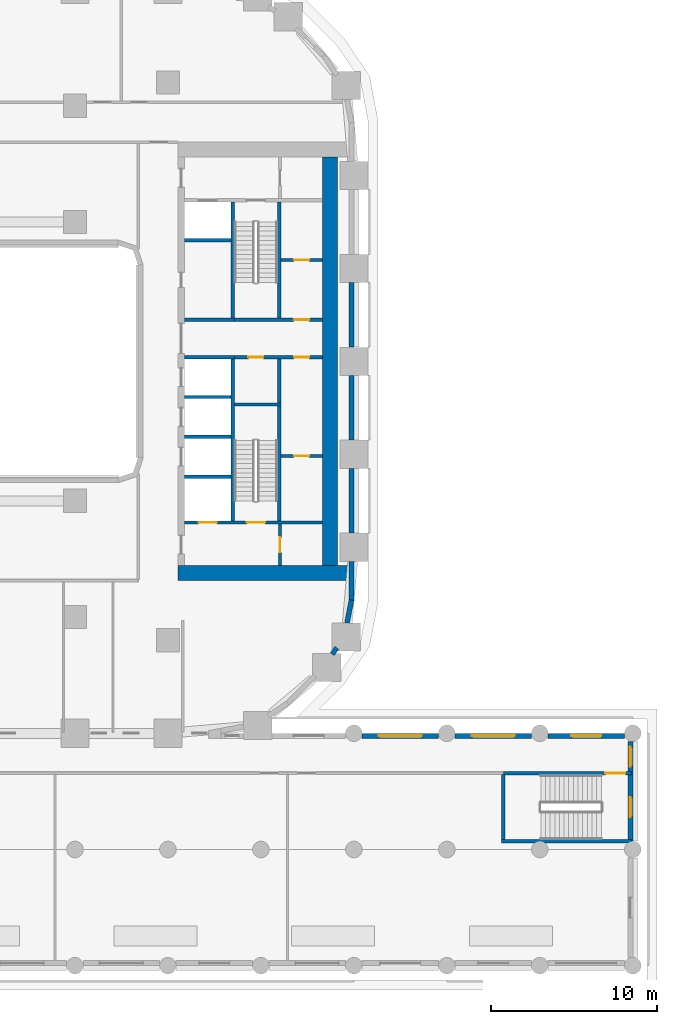
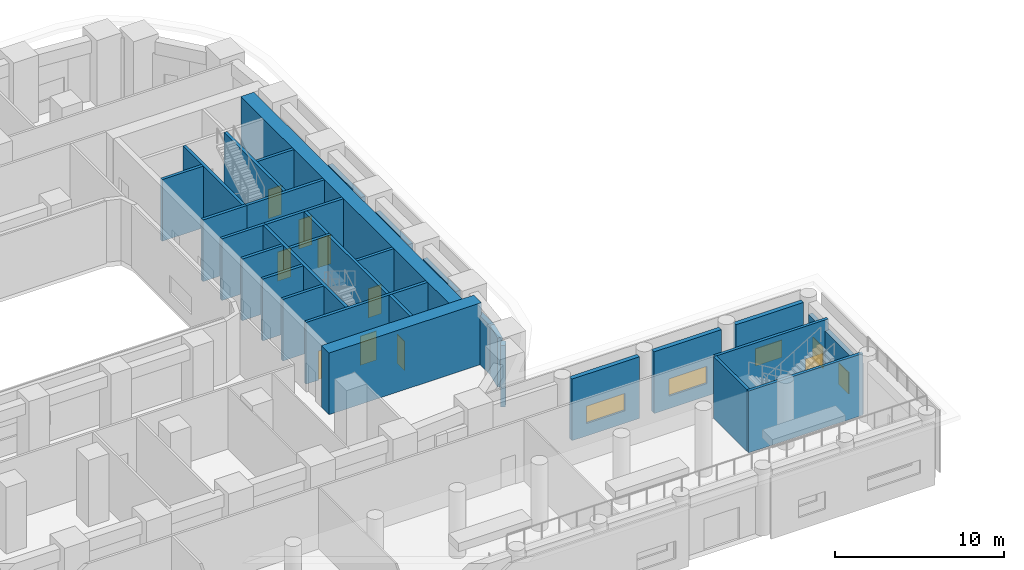
# One storey, part 25 of 35: 33 walls, 9 doors, 5 windows, 14 openings.
"""IFC4 building model written with IfcOpenShell, lengths in metres."""

from ifc_helpers import new_model, si_unit, direction, frame, frame_2d, origin, place, context, subcontext, project, spatial, rectangle, extrude, material, layer, layer_set, type_object, element, fill, save


model = new_model("IFC4")

# Units and contexts
model_context = context("Model", 3, precision=1e-05, world=origin(), true_north=direction((0.0, 1.0)))
body_context = subcontext(model_context, "Body", "Model", "MODEL_VIEW")
ifc_project = project(units=[si_unit("LENGTHUNIT", "METRE"), si_unit("AREAUNIT", "SQUARE_METRE"), si_unit("VOLUMEUNIT", "CUBIC_METRE"), si_unit("PLANEANGLEUNIT", "RADIAN"), si_unit("MASSUNIT", "GRAM", prefix="KILO")], contexts=[model_context])

# Site, building, storey
site_placement = place(None, origin())
site = spatial("IfcSite", under=ifc_project, at=site_placement, CompositionType="ELEMENT")
building_placement = place(site_placement, origin())
building = spatial("IfcBuilding", under=site, at=building_placement, Name="Kiln Ring Residences", CompositionType="ELEMENT")
storey_placement = place(building_placement, frame((0.0, 0.0, 20.89990234375)))
storey = spatial("IfcBuildingStorey", under=building, at=storey_placement, Name="L04", CompositionType="ELEMENT", Elevation=20.89990234375)

# Wall
ifc_material_1 = material(Name="Gypsum board on steel studs", Category="steel")
ifc_layer_1 = layer(ifc_material_1, 0.199951171875)
ifc_layer_set_1 = layer_set([ifc_layer_1], Name="CORE-PARTITION-200")
wall_type_1 = type_object("IfcWallType", Name="CORE-PARTITION-200", PredefinedType="PARTITIONING", material=ifc_layer_set_1)
wall_1_placement = place(storey_placement, frame((23.5, -2.5, 0.0), z_axis=(0.0, 0.0, 1.0), x_axis=(0.0, 1.0, 0.0)))
element("IfcWall", 1, at=wall_1_placement, inside=storey, type_object=wall_type_1, Name="Core partition east L04 1", PredefinedType="PARTITIONING", context=body_context, shape_type="SweptSolid", body=[
    extrude(rectangle(XDim=2.64990234375, YDim=0.199951171875, at=frame_2d((1.324951171875, 0.0))), origin(), (0.0, 0.0, 1.0), 4.4501953125),
])

# Wall, openings, doors
wall_2_placement = place(storey_placement, frame((20.800048828125, 0.25, 0.0), z_axis=(0.0, 0.0, 1.0), x_axis=(1.0, 0.0, 0.0)))
wall_2 = element("IfcWall", 2, at=wall_2_placement, inside=storey, type_object=wall_type_1, Name="Core partition east L04 2", PredefinedType="PARTITIONING", context=body_context, shape_type="SweptSolid", body=[
    extrude(rectangle(XDim=5.300048828125, YDim=0.199951171875, at=frame_2d((2.64990234375, 0.0))), origin(), (0.0, 0.0, 1.0), 4.4501953125),
])
opening_1_placement = place(wall_2_placement, frame((0.85009765625, 0.0, 0.0)))
opening_1 = element("IfcOpeningElement", 3, at=opening_1_placement, cuts=wall_2, Name="Opening L04-CE14", PredefinedType="OPENING", context=body_context, shape_type="SweptSolid", body=[
    extrude(rectangle(XDim=0.89990234375, YDim=2.10009765625, at=frame_2d((0.449951171875, 1.050048828125))), frame((0.0, 0.10986328125, 0.0), z_axis=(0.0, -1.0, 0.0), x_axis=(1.0, 0.0, 0.0)), (0.0, 0.0, 1.0), 0.219970703125),
])
opening_2_placement = place(wall_2_placement, frame((3.60009765625, 0.0, 0.0)))
opening_2 = element("IfcOpeningElement", 4, at=opening_2_placement, cuts=wall_2, Name="Opening L04-CE16", PredefinedType="OPENING", context=body_context, shape_type="SweptSolid", body=[
    extrude(rectangle(XDim=0.89990234375, YDim=2.10009765625, at=frame_2d((0.449951171875, 1.050048828125))), frame((0.0, 0.10986328125, 0.0), z_axis=(0.0, -1.0, 0.0), x_axis=(1.0, 0.0, 0.0)), (0.0, 0.0, 1.0), 0.219970703125),
])
ifc_material_2 = material(Name="Steel door leaf", Category="steel")
door_type_1 = type_object("IfcDoorType", Name="CORE-DOOR-ROOM", OperationType="SINGLE_SWING_LEFT", PredefinedType="DOOR", material=ifc_material_2)
door_1_placement = place(opening_1_placement, origin())
door_1 = element("IfcDoor", 5, at=door_1_placement, inside=storey, type_object=door_type_1, Name="Housekeeping store L04-CE14", OperationType="SINGLE_SWING_LEFT", OverallHeight=2.10009765625, OverallWidth=0.89990234375, PredefinedType="DOOR", context=body_context, shape_type="SweptSolid", body=[
    extrude(rectangle(XDim=0.89990234375, YDim=2.10009765625, at=frame_2d((0.449951171875, 1.050048828125))), frame((0.0, 0.02490234375, 0.0), z_axis=(0.0, -1.0, 0.0), x_axis=(1.0, 0.0, 0.0)), (0.0, 0.0, 1.0), 0.050048828125),
])
fill(opening_1, door_1)
door_2_placement = place(opening_2_placement, origin())
door_2 = element("IfcDoor", 6, at=door_2_placement, inside=storey, type_object=door_type_1, Name="Battery room L04-CE16", OperationType="SINGLE_SWING_LEFT", OverallHeight=2.10009765625, OverallWidth=0.89990234375, PredefinedType="DOOR", context=body_context, shape_type="SweptSolid", body=[
    extrude(rectangle(XDim=0.89990234375, YDim=2.10009765625, at=frame_2d((0.449951171875, 1.050048828125))), frame((0.0, 0.02490234375, 0.0), z_axis=(0.0, -1.0, 0.0), x_axis=(1.0, 0.0, 0.0)), (0.0, 0.0, 1.0), 0.050048828125),
])
fill(opening_2, door_2)

# Wall, opening, door
wall_3_placement = place(storey_placement, frame((23.550048828125, -12.300048828125, 0.0), z_axis=(0.0, 0.0, 1.0), x_axis=(0.0, 1.0, 0.0)))
wall_3 = element("IfcWall", 7, at=wall_3_placement, inside=storey, type_object=wall_type_1, Name="Core partition east L04 4", PredefinedType="PARTITIONING", context=body_context, shape_type="SweptSolid", body=[
    extrude(rectangle(XDim=2.5, YDim=0.199951171875, at=frame_2d((1.25, 0.0))), origin(), (0.0, 0.0, 1.0), 4.4501953125),
])
opening_3_placement = place(wall_3_placement, frame((0.800048828125, 0.0, 0.0)))
opening_3 = element("IfcOpeningElement", 8, at=opening_3_placement, cuts=wall_3, Name="Opening L04-CE10", PredefinedType="OPENING", context=body_context, shape_type="SweptSolid", body=[
    extrude(rectangle(XDim=0.89990234375, YDim=2.10009765625, at=frame_2d((0.449951171875, 1.050048828125))), frame((0.0, 0.10986328125, 0.0), z_axis=(0.0, -1.0, 0.0), x_axis=(1.0, 0.0, 0.0)), (0.0, 0.0, 1.0), 0.219970703125),
])
door_3_placement = place(opening_3_placement, origin())
door_3 = element("IfcDoor", 9, at=door_3_placement, inside=storey, type_object=door_type_1, Name="Store L04-CE10", OperationType="SINGLE_SWING_LEFT", OverallHeight=2.10009765625, OverallWidth=0.89990234375, PredefinedType="DOOR", context=body_context, shape_type="SweptSolid", body=[
    extrude(rectangle(XDim=0.89990234375, YDim=2.10009765625, at=frame_2d((0.449951171875, 1.050048828125))), frame((0.0, 0.02490234375, 0.0), z_axis=(0.0, -1.0, 0.0), x_axis=(1.0, 0.0, 0.0)), (0.0, 0.0, 1.0), 0.050048828125),
])
fill(opening_3, door_3)

wall_4_placement = place(storey_placement, frame((23.60009765625, -5.699951171875, 0.0), z_axis=(0.0, 0.0, 1.0), x_axis=(1.0, 0.0, 0.0)))
wall_4 = element("IfcWall", 10, at=wall_4_placement, inside=storey, type_object=wall_type_1, Name="Core partition east L04 5", PredefinedType="PARTITIONING", context=body_context, shape_type="SweptSolid", body=[
    extrude(rectangle(XDim=2.5, YDim=0.199951171875, at=frame_2d((1.25, 0.0))), origin(), (0.0, 0.0, 1.0), 4.4501953125),
])
opening_4_placement = place(wall_4_placement, frame((0.800048828125, 0.0, 0.0)))
opening_4 = element("IfcOpeningElement", 11, at=opening_4_placement, cuts=wall_4, Name="Opening L04-CE15", PredefinedType="OPENING", context=body_context, shape_type="SweptSolid", body=[
    extrude(rectangle(XDim=0.89990234375, YDim=2.10009765625, at=frame_2d((0.449951171875, 1.050048828125))), frame((0.0, 0.10986328125, 0.0), z_axis=(0.0, -1.0, 0.0), x_axis=(1.0, 0.0, 0.0)), (0.0, 0.0, 1.0), 0.219970703125),
])
door_4_placement = place(opening_4_placement, origin())
door_4 = element("IfcDoor", 12, at=door_4_placement, inside=storey, type_object=door_type_1, Name="Battery room L04-CE15", OperationType="SINGLE_SWING_LEFT", OverallHeight=2.10009765625, OverallWidth=0.89990234375, PredefinedType="DOOR", context=body_context, shape_type="SweptSolid", body=[
    extrude(rectangle(XDim=0.89990234375, YDim=2.10009765625, at=frame_2d((0.449951171875, 1.050048828125))), frame((0.0, 0.02490234375, 0.0), z_axis=(0.0, -1.0, 0.0), x_axis=(1.0, 0.0, 0.0)), (0.0, 0.0, 1.0), 0.050048828125),
])
fill(opening_4, door_4)

wall_5_placement = place(storey_placement, frame((23.60009765625, 6.10009765625, 0.0), z_axis=(0.0, 0.0, 1.0), x_axis=(1.0, 0.0, 0.0)))
wall_5 = element("IfcWall", 13, at=wall_5_placement, inside=storey, type_object=wall_type_1, Name="Core partition east L04 6", PredefinedType="PARTITIONING", context=body_context, shape_type="SweptSolid", body=[
    extrude(rectangle(XDim=2.5, YDim=0.199951171875, at=frame_2d((1.25, 0.0))), origin(), (0.0, 0.0, 1.0), 4.4501953125),
])
opening_5_placement = place(wall_5_placement, frame((0.800048828125, 0.0, 0.0)))
opening_5 = element("IfcOpeningElement", 14, at=opening_5_placement, cuts=wall_5, Name="Opening L04-CE17", PredefinedType="OPENING", context=body_context, shape_type="SweptSolid", body=[
    extrude(rectangle(XDim=0.89990234375, YDim=2.10009765625, at=frame_2d((0.449951171875, 1.050048828125))), frame((0.0, 0.10986328125, 0.0), z_axis=(0.0, -1.0, 0.0), x_axis=(1.0, 0.0, 0.0)), (0.0, 0.0, 1.0), 0.219970703125),
])
door_5_placement = place(opening_5_placement, origin())
door_5 = element("IfcDoor", 15, at=door_5_placement, inside=storey, type_object=door_type_1, Name="Electrical plant room L04-CE17", OperationType="SINGLE_SWING_LEFT", OverallHeight=2.10009765625, OverallWidth=0.89990234375, PredefinedType="DOOR", context=body_context, shape_type="SweptSolid", body=[
    extrude(rectangle(XDim=0.89990234375, YDim=2.10009765625, at=frame_2d((0.449951171875, 1.050048828125))), frame((0.0, 0.02490234375, 0.0), z_axis=(0.0, -1.0, 0.0), x_axis=(1.0, 0.0, 0.0)), (0.0, 0.0, 1.0), 0.050048828125),
])
fill(opening_5, door_5)

# Walls
ifc_material_3 = material(Name="Gypsum shaft wall system")
ifc_layer_2 = layer(ifc_material_3, 0.199951171875)
ifc_layer_set_2 = layer_set([ifc_layer_2], Name="CORE-SHAFT-WALL-200")
wall_type_2 = type_object("IfcWallType", Name="CORE-SHAFT-WALL-200", PredefinedType="PARTITIONING", material=ifc_layer_set_2)
for number, where, z_axis, x_axis, name in (
    (16, (17.800048828125, -6.949951171875, 0.0), (0.0, 0.0, 1.0), (1.0, 0.0, 0.0), "Core partition east L04 7"),
    (17, (17.800048828125, -4.550048828125, 0.0), (0.0, 0.0, 1.0), (1.0, 0.0, 0.0), "Core partition east L04 8"),
    (18, (17.800048828125, -2.14990234375, 0.0), (0.0, 0.0, 1.0), (1.0, 0.0, 0.0), "Core partition east L04 9"),
):
    element("IfcWall", number, at=place(storey_placement, frame(where, z_axis=z_axis, x_axis=x_axis)), inside=storey, type_object=wall_type_2, Name=name, PredefinedType="PARTITIONING", context=body_context, shape_type="SweptSolid", body=[
        extrude(rectangle(XDim=2.800048828125, YDim=0.199951171875, at=frame_2d((1.39990234375, 0.0))), origin(), (0.0, 0.0, 1.0), 4.4501953125),
    ])
for number, where, z_axis, x_axis, name in (
    (19, (17.800048828125, 0.25, 0.0), (0.0, 0.0, 1.0), (1.0, 0.0, 0.0), "Core partition east L04 10"),
    (20, (17.800048828125, 2.5, 0.0), (0.0, 0.0, 1.0), (1.0, 0.0, 0.0), "Core partition east L04 11"),
):
    element("IfcWall", number, at=place(storey_placement, frame(where, z_axis=z_axis, x_axis=x_axis)), inside=storey, type_object=wall_type_2, Name=name, PredefinedType="PARTITIONING", context=body_context, shape_type="SweptSolid", body=[
        extrude(rectangle(XDim=3.0, YDim=0.199951171875, at=frame_2d((1.5, 0.0))), origin(), (0.0, 0.0, 1.0), 4.4501953125),
    ])
wall_6_placement = place(storey_placement, frame((17.800048828125, 7.300048828125, 0.0), z_axis=(0.0, 0.0, 1.0), x_axis=(1.0, 0.0, 0.0)))
element("IfcWall", 21, at=wall_6_placement, inside=storey, type_object=wall_type_2, Name="Core partition east L04 12", PredefinedType="PARTITIONING", context=body_context, shape_type="SweptSolid", body=[
    extrude(rectangle(XDim=2.800048828125, YDim=0.199951171875, at=frame_2d((1.39990234375, 0.0))), origin(), (0.0, 0.0, 1.0), 4.4501953125),
])
ifc_material_4 = material(Name="Concrete C40/50", Category="concrete")
ifc_layer_3 = layer(ifc_material_4, 0.199951171875)
ifc_layer_set_3 = layer_set([ifc_layer_3], Name="CORE-WALL-RC200")
wall_type_3 = type_object("IfcWallType", Name="CORE-WALL-RC200", PredefinedType="SHEAR", material=ifc_layer_set_3)
wall_7_placement = place(storey_placement, frame((20.699951171875, 2.60009765625, 0.0), z_axis=(0.0, 0.0, 1.0), x_axis=(0.0, 1.0, 0.0)))
element("IfcWall", 22, at=wall_7_placement, inside=storey, type_object=wall_type_3, Name="Core wall east L04 1", PredefinedType="SHEAR", context=body_context, shape_type="SweptSolid", body=[
    extrude(rectangle(XDim=7.0, YDim=0.199951171875, at=frame_2d((3.5, 0.0))), origin(), (0.0, 0.0, 1.0), 4.4501953125),
])
wall_8_placement = place(storey_placement, frame((20.699951171875, -9.60009765625, 0.0), z_axis=(0.0, 0.0, 1.0), x_axis=(0.0, 1.0, 0.0)))
element("IfcWall", 23, at=wall_8_placement, inside=storey, type_object=wall_type_3, Name="Core wall east L04 2", PredefinedType="SHEAR", context=body_context, shape_type="SweptSolid", body=[
    extrude(rectangle(XDim=9.75, YDim=0.199951171875, at=frame_2d((4.875, 0.0))), origin(), (0.0, 0.0, 1.0), 4.4501953125),
])

# Wall, opening, door
wall_9_placement = place(storey_placement, frame((20.800048828125, 2.5, 0.0), z_axis=(0.0, 0.0, 1.0), x_axis=(1.0, 0.0, 0.0)))
wall_9 = element("IfcWall", 24, at=wall_9_placement, inside=storey, type_object=wall_type_3, Name="Core wall east L04 3", PredefinedType="SHEAR", context=body_context, shape_type="SweptSolid", body=[
    extrude(rectangle(XDim=5.300048828125, YDim=0.199951171875, at=frame_2d((2.64990234375, 0.0))), origin(), (0.0, 0.0, 1.0), 4.4501953125),
])
opening_6_placement = place(wall_9_placement, frame((3.60009765625, 0.0, 0.0)))
opening_6 = element("IfcOpeningElement", 25, at=opening_6_placement, cuts=wall_9, Name="Opening L04-CE18", PredefinedType="OPENING", context=body_context, shape_type="SweptSolid", body=[
    extrude(rectangle(XDim=0.89990234375, YDim=2.10009765625, at=frame_2d((0.449951171875, 1.050048828125))), frame((0.0, 0.10986328125, 0.0), z_axis=(0.0, -1.0, 0.0), x_axis=(1.0, 0.0, 0.0)), (0.0, 0.0, 1.0), 0.219970703125),
])
door_6_placement = place(opening_6_placement, origin())
door_6 = element("IfcDoor", 26, at=door_6_placement, inside=storey, type_object=door_type_1, Name="Comms room L04-CE18", OperationType="SINGLE_SWING_RIGHT", OverallHeight=2.10009765625, OverallWidth=0.89990234375, PredefinedType="DOOR", context=body_context, shape_type="SweptSolid", body=[
    extrude(rectangle(XDim=0.89990234375, YDim=2.10009765625, at=frame_2d((0.449951171875, 1.050048828125))), frame((0.0, 0.02490234375, 0.0), z_axis=(0.0, -1.0, 0.0), x_axis=(1.0, 0.0, 0.0)), (0.0, 0.0, 1.0), 0.050048828125),
])
fill(opening_6, door_6)

# Wall, openings, doors
wall_10_placement = place(storey_placement, frame((17.800048828125, -9.699951171875, 0.0), z_axis=(0.0, 0.0, 1.0), x_axis=(1.0, 0.0, 0.0)))
wall_10 = element("IfcWall", 27, at=wall_10_placement, inside=storey, type_object=wall_type_3, Name="Core wall east L04 8", PredefinedType="SHEAR", context=body_context, shape_type="SweptSolid", body=[
    extrude(rectangle(XDim=8.300048828125, YDim=0.199951171875, at=frame_2d((4.14990234375, 0.0))), origin(), (0.0, 0.0, 1.0), 4.4501953125),
])
opening_7_placement = place(wall_10_placement, frame((0.85009765625, 0.0, 0.0)))
opening_7 = element("IfcOpeningElement", 28, at=opening_7_placement, cuts=wall_10, Name="Opening L04-CE01", PredefinedType="OPENING", context=body_context, shape_type="SweptSolid", body=[
    extrude(rectangle(XDim=1.10009765625, YDim=2.10009765625, at=frame_2d((0.550048828125, 1.050048828125))), frame((0.0, 0.10986328125, 0.0), z_axis=(0.0, -1.0, 0.0), x_axis=(1.0, 0.0, 0.0)), (0.0, 0.0, 1.0), 0.219970703125),
])
opening_8_placement = place(wall_10_placement, frame((3.75, 0.0, 0.0)))
opening_8 = element("IfcOpeningElement", 29, at=opening_8_placement, cuts=wall_10, Name="Opening L04-CE12", PredefinedType="OPENING", context=body_context, shape_type="SweptSolid", body=[
    extrude(rectangle(XDim=1.10009765625, YDim=2.10009765625, at=frame_2d((0.550048828125, 1.050048828125))), frame((0.0, 0.10986328125, 0.0), z_axis=(0.0, -1.0, 0.0), x_axis=(1.0, 0.0, 0.0)), (0.0, 0.0, 1.0), 0.219970703125),
])
ifc_material_5 = material(Name="Steel door leaf", Category="steel")
door_type_2 = type_object("IfcDoorType", Name="CORE-DOOR-LD", OperationType="DOUBLE_DOOR_SLIDING", PredefinedType="DOOR", material=ifc_material_5)
door_7_placement = place(opening_7_placement, origin())
door_7 = element("IfcDoor", 30, at=door_7_placement, inside=storey, type_object=door_type_2, Name="LD E-SV L04-CE01", OperationType="DOUBLE_DOOR_SLIDING", OverallHeight=2.10009765625, OverallWidth=1.10009765625, PredefinedType="DOOR", context=body_context, shape_type="SweptSolid", body=[
    extrude(rectangle(XDim=1.10009765625, YDim=2.10009765625, at=frame_2d((0.550048828125, 1.050048828125))), frame((0.0, 0.02490234375, 0.0), z_axis=(0.0, -1.0, 0.0), x_axis=(1.0, 0.0, 0.0)), (0.0, 0.0, 1.0), 0.050048828125),
])
fill(opening_7, door_7)
ifc_material_6 = material(Name="Steel door leaf", Category="steel")
door_type_3 = type_object("IfcDoorType", Name="CORE-DOOR-STAIR", OperationType="SINGLE_SWING_LEFT", PredefinedType="DOOR", material=ifc_material_6)
door_8_placement = place(opening_8_placement, origin())
door_8 = element("IfcDoor", 31, at=door_8_placement, inside=storey, type_object=door_type_3, Name="Stair E-STS L04-CE12", OperationType="SINGLE_SWING_RIGHT", OverallHeight=2.10009765625, OverallWidth=1.10009765625, PredefinedType="DOOR", context=body_context, shape_type="SweptSolid", body=[
    extrude(rectangle(XDim=1.10009765625, YDim=2.10009765625, at=frame_2d((0.550048828125, 1.050048828125))), frame((0.0, 0.02490234375, 0.0), z_axis=(0.0, -1.0, 0.0), x_axis=(1.0, 0.0, 0.0)), (0.0, 0.0, 1.0), 0.050048828125),
])
fill(opening_8, door_8)

# Walls
wall_11_placement = place(storey_placement, frame((23.5, 2.60009765625, 0.0), z_axis=(0.0, 0.0, 1.0), x_axis=(0.0, 1.0, 0.0)))
element("IfcWall", 32, at=wall_11_placement, inside=storey, type_object=wall_type_3, Name="Core wall east L04 10", PredefinedType="SHEAR", context=body_context, shape_type="SweptSolid", body=[
    extrude(rectangle(XDim=7.0, YDim=0.199951171875, at=frame_2d((3.5, 0.0))), origin(), (0.0, 0.0, 1.0), 4.4501953125),
])
wall_12_placement = place(storey_placement, frame((23.5, -9.60009765625, 0.0), z_axis=(0.0, 0.0, 1.0), x_axis=(0.0, 1.0, 0.0)))
element("IfcWall", 33, at=wall_12_placement, inside=storey, type_object=wall_type_3, Name="Core wall east L04 11", PredefinedType="SHEAR", context=body_context, shape_type="SweptSolid", body=[
    extrude(rectangle(XDim=6.900146484375, YDim=0.199951171875, at=frame_2d((3.4501953125, 0.0))), origin(), (0.0, 0.0, 1.0), 4.4501953125),
])
wall_13_placement = place(storey_placement, frame((20.800048828125, -2.60009765625, 0.0), z_axis=(0.0, 0.0, 1.0), x_axis=(1.0, 0.0, 0.0)))
element("IfcWall", 34, at=wall_13_placement, inside=storey, type_object=wall_type_3, Name="Core wall east L04 12", PredefinedType="SHEAR", context=body_context, shape_type="SweptSolid", body=[
    extrude(rectangle(XDim=2.800048828125, YDim=0.199951171875, at=frame_2d((1.39990234375, 0.0))), origin(), (0.0, 0.0, 1.0), 4.4501953125),
])
ifc_material_7 = material(Name="Concrete C60/75", Category="concrete")
ifc_layer_4 = layer(ifc_material_7, 0.89990234375)
ifc_layer_set_4 = layer_set([ifc_layer_4], Name="CORE-WALL-RC900")
wall_type_4 = type_object("IfcWallType", Name="CORE-WALL-RC900", PredefinedType="SHEAR", material=ifc_layer_set_4)
wall_14_placement = place(storey_placement, frame((17.39990234375, -12.75, 0.0), z_axis=(0.0, 0.0, 1.0), x_axis=(1.0, 0.0, 0.0)))
element("IfcWall", 35, at=wall_14_placement, inside=storey, type_object=wall_type_4, Name="Core wall east L04 5", PredefinedType="SHEAR", context=body_context, shape_type="SweptSolid", body=[
    extrude(rectangle(XDim=10.400146484375, YDim=0.89990234375, at=frame_2d((5.2001953125, 0.0))), origin(), (0.0, 0.0, 1.0), 4.4501953125),
])
wall_15_placement = place(storey_placement, frame((26.550048828125, -12.300048828125, 0.0), z_axis=(0.0, 0.0, 1.0), x_axis=(0.0, 1.0, 0.0)))
element("IfcWall", 36, at=wall_15_placement, inside=storey, type_object=wall_type_4, Name="Core wall east L04 7", PredefinedType="SHEAR", context=body_context, shape_type="SweptSolid", body=[
    extrude(rectangle(XDim=24.60009765625, YDim=0.89990234375, at=frame_2d((12.300048828125, 0.0))), origin(), (0.0, 0.0, 1.0), 4.4501953125),
])

# Wall, openings, windows
ifc_material_8 = material(Name="Brick masonry, dark clay brick", Category="masonry")
ifc_layer_5 = layer(ifc_material_8, 0.300048828125)
ifc_layer_set_5 = layer_set([ifc_layer_5], Name="EW-300 BRICK WALL")
wall_type_5 = type_object("IfcWallType", Name="EW-300 BRICK WALL", PredefinedType="SOLIDWALL", material=ifc_layer_set_5)
wall_16_placement = place(storey_placement, frame((44.64990234375, -28.89990234375, 0.0), z_axis=(0.0, 0.0, 1.0), x_axis=(0.0, 1.0, 0.0)))
wall_16 = element("IfcWall", 37, at=wall_16_placement, inside=storey, type_object=wall_type_5, Name="Facade wall L04 2", PredefinedType="SOLIDWALL", context=body_context, shape_type="SweptSolid", body=[
    extrude(rectangle(XDim=6.0, YDim=0.300048828125, at=frame_2d((3.0, 0.0))), origin(), (0.0, 0.0, 1.0), 3.650146484375),
])
opening_9_placement = place(wall_16_placement, frame((1.449951171875, 0.0, 0.60009765625)))
opening_9 = element("IfcOpeningElement", 38, at=opening_9_placement, cuts=wall_16, Name="Opening W1", PredefinedType="OPENING", context=body_context, shape_type="SweptSolid", body=[
    extrude(rectangle(XDim=1.199951171875, YDim=1.550048828125, at=frame_2d((0.60009765625, 0.77490234375))), frame((0.0, 0.159912109375, 0.0), z_axis=(0.0, -1.0, 0.0), x_axis=(1.0, 0.0, 0.0)), (0.0, 0.0, 1.0), 0.320068359375),
])
opening_10_placement = place(wall_16_placement, frame((4.487548828125, 0.0, 0.60009765625)))
opening_10 = element("IfcOpeningElement", 39, at=opening_10_placement, cuts=wall_16, Name="Opening W1", PredefinedType="OPENING", context=body_context, shape_type="SweptSolid", body=[
    extrude(rectangle(XDim=1.199951171875, YDim=1.550048828125, at=frame_2d((0.60009765625, 0.77490234375))), frame((0.0, 0.159912109375, 0.0), z_axis=(0.0, -1.0, 0.0), x_axis=(1.0, 0.0, 0.0)), (0.0, 0.0, 1.0), 0.320068359375),
])
ifc_material_9 = material(Name="Aluminium frame with double glazing", Category="aluminium")
window_type_1 = type_object("IfcWindowType", Name="WINDOW 1200 x 1550", PartitioningType="SINGLE_PANEL", PredefinedType="WINDOW", material=ifc_material_9)
window_1_placement = place(opening_9_placement, origin())
window_1 = element("IfcWindow", 40, at=window_1_placement, inside=storey, type_object=window_type_1, Name="Window L04 2", OverallHeight=1.550048828125, OverallWidth=1.199951171875, PartitioningType="SINGLE_PANEL", PredefinedType="WINDOW", context=body_context, shape_type="SweptSolid", body=[
    extrude(rectangle(XDim=1.199951171875, YDim=1.550048828125, at=frame_2d((0.60009765625, 0.77490234375))), frame((0.0, 0.030029296875, 0.0), z_axis=(0.0, -1.0, 0.0), x_axis=(1.0, 0.0, 0.0)), (0.0, 0.0, 1.0), 0.06005859375),
])
fill(opening_9, window_1)
window_2_placement = place(opening_10_placement, origin())
window_2 = element("IfcWindow", 41, at=window_2_placement, inside=storey, type_object=window_type_1, Name="Window L04 3", OverallHeight=1.550048828125, OverallWidth=1.199951171875, PartitioningType="SINGLE_PANEL", PredefinedType="WINDOW", context=body_context, shape_type="SweptSolid", body=[
    extrude(rectangle(XDim=1.199951171875, YDim=1.550048828125, at=frame_2d((0.60009765625, 0.77490234375))), frame((0.0, 0.030029296875, 0.0), z_axis=(0.0, -1.0, 0.0), x_axis=(1.0, 0.0, 0.0)), (0.0, 0.0, 1.0), 0.06005859375),
])
fill(opening_10, window_2)

# Wall, opening, window
wall_17_placement = place(storey_placement, frame((44.300048828125, -22.550048828125, 0.0), z_axis=(0.0, 0.0, 1.0), x_axis=(-1.0, 0.0, 0.0)))
wall_17 = element("IfcWall", 42, at=wall_17_placement, inside=storey, type_object=wall_type_5, Name="Facade wall L04 3", PredefinedType="SOLIDWALL", context=body_context, shape_type="SweptSolid", body=[
    extrude(rectangle(XDim=4.60009765625, YDim=0.300048828125, at=frame_2d((2.300048828125, 0.0))), origin(), (0.0, 0.0, 1.0), 4.4501953125),
])
opening_11_placement = place(wall_17_placement, frame((1.39990234375, 0.0, 0.89990234375)))
opening_11 = element("IfcOpeningElement", 43, at=opening_11_placement, cuts=wall_17, Name="Opening W2", PredefinedType="OPENING", context=body_context, shape_type="SweptSolid", body=[
    extrude(rectangle(XDim=1.800048828125, YDim=1.25, at=frame_2d((0.89990234375, 0.625))), frame((0.0, 0.159912109375, 0.0), z_axis=(0.0, -1.0, 0.0), x_axis=(1.0, 0.0, 0.0)), (0.0, 0.0, 1.0), 0.320068359375),
])
ifc_material_10 = material(Name="Aluminium frame with double glazing", Category="aluminium")
window_type_2 = type_object("IfcWindowType", Name="WINDOW 1800 x 1250", PartitioningType="SINGLE_PANEL", PredefinedType="WINDOW", material=ifc_material_10)
window_3_placement = place(opening_11_placement, origin())
window_3 = element("IfcWindow", 44, at=window_3_placement, inside=storey, type_object=window_type_2, Name="Window L04 4", OverallHeight=1.25, OverallWidth=1.800048828125, PartitioningType="SINGLE_PANEL", PredefinedType="WINDOW", context=body_context, shape_type="SweptSolid", body=[
    extrude(rectangle(XDim=1.800048828125, YDim=1.25, at=frame_2d((0.89990234375, 0.625))), frame((0.0, 0.030029296875, 0.0), z_axis=(0.0, -1.0, 0.0), x_axis=(1.0, 0.0, 0.0)), (0.0, 0.0, 1.0), 0.06005859375),
])
fill(opening_11, window_3)

wall_18_placement = place(storey_placement, frame((38.699951171875, -22.550048828125, 0.0), z_axis=(0.0, 0.0, 1.0), x_axis=(-1.0, 0.0, 0.0)))
wall_18 = element("IfcWall", 45, at=wall_18_placement, inside=storey, type_object=wall_type_5, Name="Facade wall L04 4", PredefinedType="SOLIDWALL", context=body_context, shape_type="SweptSolid", body=[
    extrude(rectangle(XDim=4.599853515625, YDim=0.300048828125, at=frame_2d((2.2998046875, 0.0))), origin(), (0.0, 0.0, 1.0), 4.4501953125),
])
opening_12_placement = place(wall_18_placement, frame((1.0, 0.0, 0.89990234375)))
opening_12 = element("IfcOpeningElement", 46, at=opening_12_placement, cuts=wall_18, Name="Opening W3", PredefinedType="OPENING", context=body_context, shape_type="SweptSolid", body=[
    extrude(rectangle(XDim=2.60009765625, YDim=1.25, at=frame_2d((1.300048828125, 0.625))), frame((0.0, 0.159912109375, 0.0), z_axis=(0.0, -1.0, 0.0), x_axis=(1.0, 0.0, 0.0)), (0.0, 0.0, 1.0), 0.320068359375),
])
ifc_material_11 = material(Name="Aluminium frame with double glazing", Category="aluminium")
window_type_3 = type_object("IfcWindowType", Name="WINDOW 2600 x 1250", PartitioningType="SINGLE_PANEL", PredefinedType="WINDOW", material=ifc_material_11)
window_4_placement = place(opening_12_placement, origin())
window_4 = element("IfcWindow", 47, at=window_4_placement, inside=storey, type_object=window_type_3, Name="Window L04 5", OverallHeight=1.25, OverallWidth=2.60009765625, PartitioningType="SINGLE_PANEL", PredefinedType="WINDOW", context=body_context, shape_type="SweptSolid", body=[
    extrude(rectangle(XDim=2.60009765625, YDim=1.25, at=frame_2d((1.300048828125, 0.625))), frame((0.0, 0.030029296875, 0.0), z_axis=(0.0, -1.0, 0.0), x_axis=(1.0, 0.0, 0.0)), (0.0, 0.0, 1.0), 0.06005859375),
])
fill(opening_12, window_4)

wall_19_placement = place(storey_placement, frame((33.10009765625, -22.550048828125, 0.0), z_axis=(0.0, 0.0, 1.0), x_axis=(-1.0, 0.0, 0.0)))
wall_19 = element("IfcWall", 48, at=wall_19_placement, inside=storey, type_object=wall_type_5, Name="Facade wall L04 5", PredefinedType="SOLIDWALL", context=body_context, shape_type="SweptSolid", body=[
    extrude(rectangle(XDim=4.60009765625, YDim=0.300048828125, at=frame_2d((2.300048828125, 0.0))), origin(), (0.0, 0.0, 1.0), 4.4501953125),
])
opening_13_placement = place(wall_19_placement, frame((1.0, 0.0, 0.89990234375)))
opening_13 = element("IfcOpeningElement", 49, at=opening_13_placement, cuts=wall_19, Name="Opening W3", PredefinedType="OPENING", context=body_context, shape_type="SweptSolid", body=[
    extrude(rectangle(XDim=2.60009765625, YDim=1.25, at=frame_2d((1.300048828125, 0.625))), frame((0.0, 0.159912109375, 0.0), z_axis=(0.0, -1.0, 0.0), x_axis=(1.0, 0.0, 0.0)), (0.0, 0.0, 1.0), 0.320068359375),
])
window_5_placement = place(opening_13_placement, origin())
window_5 = element("IfcWindow", 50, at=window_5_placement, inside=storey, type_object=window_type_3, Name="Window L04 6", OverallHeight=1.25, OverallWidth=2.60009765625, PartitioningType="SINGLE_PANEL", PredefinedType="WINDOW", context=body_context, shape_type="SweptSolid", body=[
    extrude(rectangle(XDim=2.60009765625, YDim=1.25, at=frame_2d((1.300048828125, 0.625))), frame((0.0, 0.030029296875, 0.0), z_axis=(0.0, -1.0, 0.0), x_axis=(1.0, 0.0, 0.0)), (0.0, 0.0, 1.0), 0.06005859375),
])
fill(opening_13, window_5)

# Walls
wall_20_placement = place(storey_placement, frame((26.701171875, -17.644287109375, 0.0), z_axis=(0.0, 0.0, 1.0), x_axis=(0.562001981492, 0.827135885329, 0.0)))
element("IfcWall", 51, at=wall_20_placement, inside=storey, type_object=wall_type_5, Name="Facade wall L04 11", PredefinedType="SOLIDWALL", context=body_context, shape_type="SweptSolid", body=[
    extrude(rectangle(XDim=0.47705078125, YDim=0.300048828125, at=frame_2d((0.238525390625, 0.0))), origin(), (0.0, 0.0, 1.0), 4.4501953125),
])
wall_21_placement = place(storey_placement, frame((27.589111328125, -15.753173828125, 0.0), z_axis=(0.0, 0.0, 1.0), x_axis=(0.187327504018, 0.982297514116, 0.0)))
element("IfcWall", 52, at=wall_21_placement, inside=storey, type_object=wall_type_5, Name="Facade wall L04 12", PredefinedType="SOLIDWALL", context=body_context, shape_type="SweptSolid", body=[
    extrude(rectangle(XDim=1.40625, YDim=0.300048828125, at=frame_2d((0.703125, 0.0))), origin(), (0.0, 0.0, 1.0), 3.550048828125),
])
wall_22_placement = place(storey_placement, frame((27.85009765625, -14.39990234375, 0.0), z_axis=(0.0, 0.0, 1.0), x_axis=(0.0, 1.0, 0.0)))
element("IfcWall", 53, at=wall_22_placement, inside=storey, type_object=wall_type_5, Name="Facade wall L04 13", PredefinedType="SOLIDWALL", context=body_context, shape_type="SweptSolid", body=[
    extrude(rectangle(XDim=2.349853515625, YDim=0.300048828125, at=frame_2d((1.1748046875, 0.0))), origin(), (0.0, 0.0, 1.0), 3.550048828125),
])
wall_23_placement = place(storey_placement, frame((27.85009765625, -10.35009765625, 0.0), z_axis=(0.0, 0.0, 1.0), x_axis=(0.0, 1.0, 0.0)))
element("IfcWall", 54, at=wall_23_placement, inside=storey, type_object=wall_type_5, Name="Facade wall L04 14", PredefinedType="SOLIDWALL", context=body_context, shape_type="SweptSolid", body=[
    extrude(rectangle(XDim=3.900146484375, YDim=0.300048828125, at=frame_2d((1.9501953125, 0.0))), origin(), (0.0, 0.0, 1.0), 3.550048828125),
])
for number, where, z_axis, x_axis, name in (
    (55, (27.85009765625, -4.75, 0.0), (0.0, 0.0, 1.0), (0.0, 1.0, 0.0), "Facade wall L04 15"),
    (56, (27.85009765625, 0.85009765625, 0.0), (0.0, 0.0, 1.0), (0.0, 1.0, 0.0), "Facade wall L04 16"),
):
    element("IfcWall", number, at=place(storey_placement, frame(where, z_axis=z_axis, x_axis=x_axis)), inside=storey, type_object=wall_type_5, Name=name, PredefinedType="SOLIDWALL", context=body_context, shape_type="SweptSolid", body=[
        extrude(rectangle(XDim=3.89990234375, YDim=0.300048828125, at=frame_2d((1.949951171875, 0.0))), origin(), (0.0, 0.0, 1.0), 3.550048828125),
    ])
ifc_material_12 = material(Name="Concrete C40/50", Category="concrete")
ifc_layer_6 = layer(ifc_material_12, 0.199951171875)
ifc_layer_set_6 = layer_set([ifc_layer_6], Name="PODIUM-STAIR-WALL-200")
wall_type_6 = type_object("IfcWallType", Name="PODIUM-STAIR-WALL-200", PredefinedType="SHEAR", material=ifc_layer_set_6)
wall_24_placement = place(storey_placement, frame((36.89990234375, -28.89990234375, 0.0), z_axis=(0.0, 0.0, 1.0), x_axis=(1.0, 0.0, 0.0)))
element("IfcWall", 57, at=wall_24_placement, inside=storey, type_object=wall_type_6, Name="Stair wall 001", PredefinedType="SHEAR", context=body_context, shape_type="SweptSolid", body=[
    extrude(rectangle(XDim=7.81005859375, YDim=0.199951171875, at=frame_2d((3.905029296875, 0.0))), origin(), (0.0, 0.0, 1.0), 4.4501953125),
])

# Wall, opening, door
wall_25_placement = place(storey_placement, frame((37.0, -24.800048828125, 0.0), z_axis=(0.0, 0.0, 1.0), x_axis=(1.0, 0.0, 0.0)))
wall_25 = element("IfcWall", 58, at=wall_25_placement, inside=storey, type_object=wall_type_6, Name="Stair wall 004", PredefinedType="SHEAR", context=body_context, shape_type="SweptSolid", body=[
    extrude(rectangle(XDim=7.7099609375, YDim=0.199951171875, at=frame_2d((3.85498046875, 0.0))), origin(), (0.0, 0.0, 1.0), 4.4501953125),
])
opening_14_placement = place(wall_25_placement, frame((6.14990234375, 0.0, 0.0)))
opening_14 = element("IfcOpeningElement", 59, at=opening_14_placement, cuts=wall_25, Name="Opening L04-D007", PredefinedType="OPENING", context=body_context, shape_type="SweptSolid", body=[
    extrude(rectangle(XDim=1.199951171875, YDim=2.10009765625, at=frame_2d((0.60009765625, 1.050048828125))), frame((0.0, 0.10986328125, 0.0), z_axis=(0.0, -1.0, 0.0), x_axis=(1.0, 0.0, 0.0)), (0.0, 0.0, 1.0), 0.219970703125),
])
ifc_material_13 = material(Name="Steel faced fire door leaf", Category="steel")
door_type_4 = type_object("IfcDoorType", Name="FLAT-DOOR-1200-FR", OperationType="SINGLE_SWING_LEFT", PredefinedType="DOOR", material=ifc_material_13)
door_9_placement = place(opening_14_placement, origin())
door_9 = element("IfcDoor", 60, at=door_9_placement, inside=storey, type_object=door_type_4, Name="Door L04-D007", OperationType="SINGLE_SWING_RIGHT", OverallHeight=2.10009765625, OverallWidth=1.199951171875, PredefinedType="DOOR", context=body_context, shape_type="SweptSolid", body=[
    extrude(rectangle(XDim=1.199951171875, YDim=2.10009765625, at=frame_2d((0.60009765625, 1.050048828125))), frame((0.0, 0.02490234375, 0.0), z_axis=(0.0, -1.0, 0.0), x_axis=(1.0, 0.0, 0.0)), (0.0, 0.0, 1.0), 0.050048828125),
])
fill(opening_14, door_9)

# Wall
wall_26_placement = place(storey_placement, frame((37.0, -28.800048828125, 0.0), z_axis=(0.0, 0.0, 1.0), x_axis=(0.0, 1.0, 0.0)))
element("IfcWall", 61, at=wall_26_placement, inside=storey, type_object=wall_type_6, Name="Stair wall 029", PredefinedType="SHEAR", context=body_context, shape_type="SweptSolid", body=[
    extrude(rectangle(XDim=3.925048828125, YDim=0.199951171875, at=frame_2d((1.96240234375, 0.0))), origin(), (0.0, 0.0, 1.0), 4.4501953125),
])

save(model, "model.ifc")
